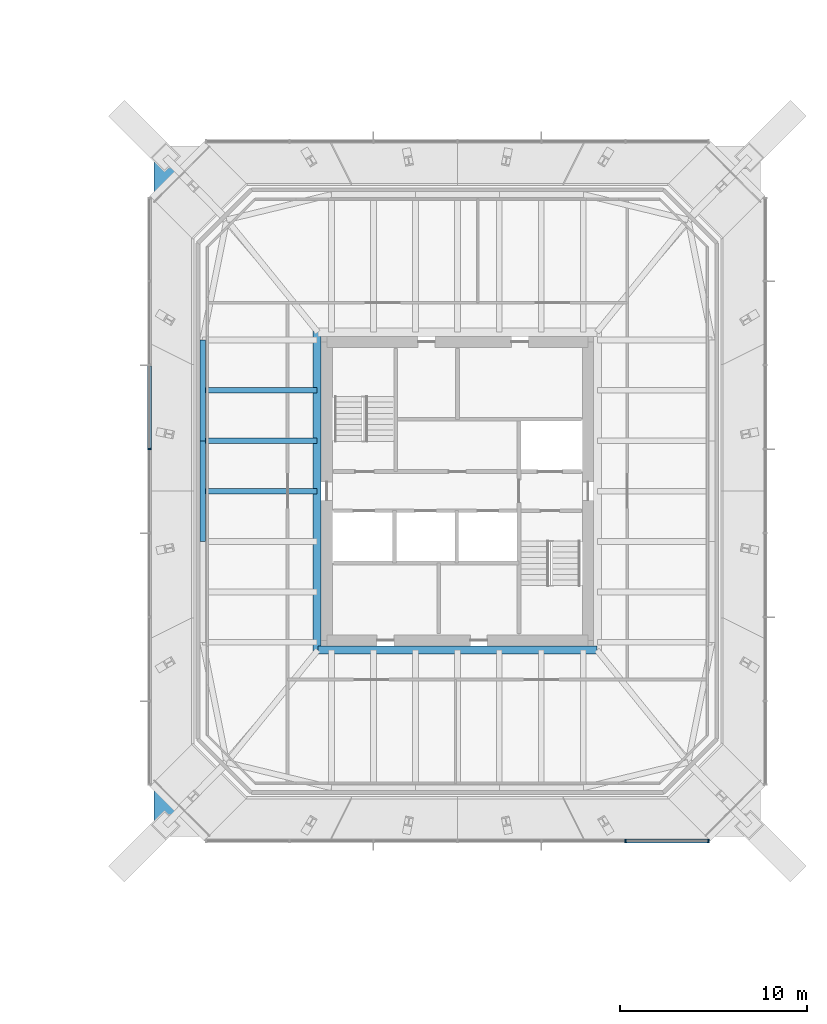
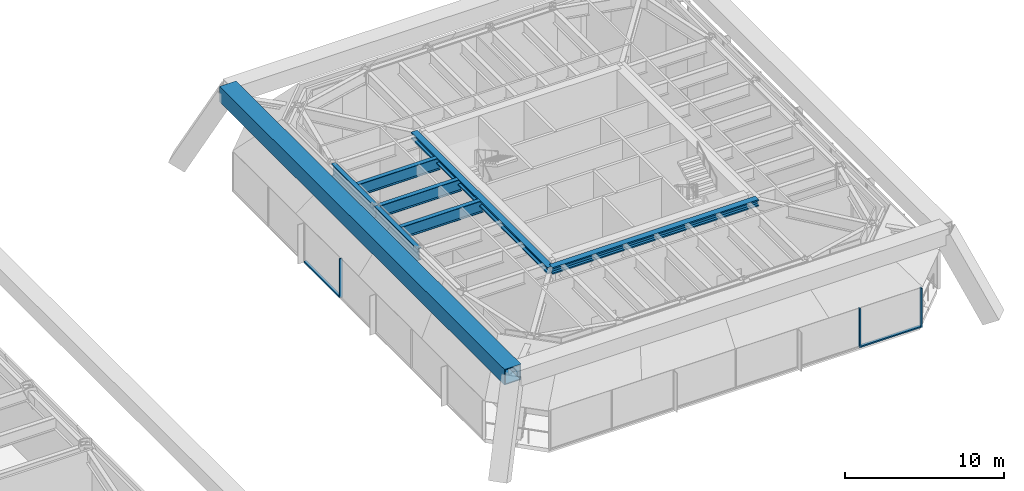
# One storey, part 5 of 16: 7 beams, 6 members, 2 elements without a shape of their own.
"""IFC4 building model written with IfcOpenShell, lengths in metres."""

from ifc_helpers import new_model, si_unit, direction, frame, origin, origin_2d, place, context, subcontext, project, spatial, rectangle, hollow_rectangle, i_section, extrude, material, material_profile, profile_set, type_object, element, aggregate, save


model = new_model("IFC4")

# Units and contexts
model_context = context("Model", 3, precision=1e-05, world=origin(), true_north=direction((0.0, 1.0)))
body_context = subcontext(model_context, "Body", "Model", "MODEL_VIEW")
ifc_project = project(units=[si_unit("LENGTHUNIT", "METRE"), si_unit("AREAUNIT", "SQUARE_METRE"), si_unit("VOLUMEUNIT", "CUBIC_METRE"), si_unit("PLANEANGLEUNIT", "RADIAN"), si_unit("MASSUNIT", "GRAM", prefix="KILO")], contexts=[model_context])

# Site, building, storey
site_placement = place(None, origin())
site = spatial("IfcSite", under=ifc_project, at=site_placement, CompositionType="ELEMENT")
building_placement = place(site_placement, origin())
building = spatial("IfcBuilding", under=site, at=building_placement, Name="Iwan Alto Co-Living Towers", CompositionType="ELEMENT")
storey_placement = place(building_placement, frame((0.0, 0.0, 74.5)))
storey = spatial("IfcBuildingStorey", under=building, at=storey_placement, Name="L20", CompositionType="ELEMENT", Elevation=74.5)

# Curtain wall, members
ifc_material_1 = material(Name="Bronze aluminium unitised frame", Category="aluminium")
curtain_wall_type = type_object("IfcCurtainWallType", Name="CURTAIN WALL CW-C", PredefinedType="NOTDEFINED", material=ifc_material_1)
curtain_wall_1_placement = place(storey_placement, origin())
curtain_wall_1 = element("IfcCurtainWall", 1, at=curtain_wall_1_placement, inside=storey, type_object=curtain_wall_type, Name="T2 curtain wall S L20", PredefinedType="NOTDEFINED")
ifc_material_2 = material(Name="Aluminium 6063-T6 bronze anodised", Category="aluminium")
ifc_material_profile_1 = material_profile(ifc_material_2, rectangle(XDim=0.199951171875, YDim=0.080078125, at=origin_2d()), Name="AL 80X200")
ifc_profile_set_1 = profile_set([ifc_material_profile_1], Name="Aluminium 6063-T6 bronze anodised")
member_type_1 = type_object("IfcMemberType", Name="CW-C MULLION 80X200", PredefinedType="MULLION", material=ifc_profile_set_1)
member_1_placement = place(storey_placement, frame((72.0, -18.75, 0.0), z_axis=(0.0, 0.0, 1.0), x_axis=(0.0, 1.0, 0.0)))
member_1 = element("IfcMember", 2, at=member_1_placement, type_object=member_type_1, Name="CW-C mullion 6", PredefinedType="MULLION", context=body_context, shape_type="SweptSolid", body=[
    extrude(rectangle(XDim=0.199951171875, YDim=0.080078125, at=origin_2d()), origin(), (0.0, 0.0, 1.0), 3.0),
])
member_2_placement = place(storey_placement, frame((76.4599609375, -18.75, 0.0), z_axis=(0.0, 0.0, 1.0), x_axis=(0.0, 1.0, 0.0)))
member_2 = element("IfcMember", 3, at=member_2_placement, type_object=member_type_1, Name="CW-C mullion 7", PredefinedType="MULLION", context=body_context, shape_type="SweptSolid", body=[
    extrude(rectangle(XDim=0.199951171875, YDim=0.080078125, at=origin_2d()), origin(), (0.0, 0.0, 1.0), 3.0),
])

# Curtain wall, member
curtain_wall_2_placement = place(storey_placement, origin())
curtain_wall_2 = element("IfcCurtainWall", 4, at=curtain_wall_2_placement, inside=storey, type_object=curtain_wall_type, Name="T2 curtain wall W L20", PredefinedType="NOTDEFINED")
member_3_placement = place(storey_placement, frame((46.5, 2.25, 0.0), z_axis=(0.0, 0.0, 1.0), x_axis=(1.0, 0.0, 0.0)))
member_3 = element("IfcMember", 5, at=member_3_placement, type_object=member_type_1, Name="CW-C mullion 4", PredefinedType="MULLION", context=body_context, shape_type="SweptSolid", body=[
    extrude(rectangle(XDim=0.199951171875, YDim=0.080078125, at=origin_2d()), origin(), (0.0, 0.0, 1.0), 3.0),
])

# Member
ifc_material_3 = material(Name="Aluminium 6063-T6 bronze anodised", Category="aluminium")
ifc_material_profile_2 = material_profile(ifc_material_3, rectangle(XDim=0.199951171875, YDim=0.10009765625, at=origin_2d()), Name="AL 200X100")
ifc_profile_set_2 = profile_set([ifc_material_profile_2], Name="Aluminium 6063-T6 bronze anodised")
member_type_2 = type_object("IfcMemberType", Name="CW-C TRANSOM 200X100", PredefinedType="USERDEFINED", material=ifc_profile_set_2)
member_4_placement = place(storey_placement, frame((72.0400390625, -18.75, 0.050048828125), z_axis=(1.0, 0.0, 0.0), x_axis=(0.0, 1.0, 0.0)))
member_4 = element("IfcMember", 6, at=member_4_placement, type_object=member_type_2, Name="CW-C transom 6.1", ObjectType="TRANSOM", PredefinedType="USERDEFINED", context=body_context, shape_type="SweptSolid", body=[
    extrude(rectangle(XDim=0.199951171875, YDim=0.10009765625, at=origin_2d()), origin(), (0.0, 0.0, 1.0), 4.3798828125),
])

aggregate(curtain_wall_1, [member_1, member_2, member_4])

member_5_placement = place(storey_placement, frame((46.5, 6.7099609375, 0.050048828125), z_axis=(0.0, -1.0, 0.0), x_axis=(1.0, 0.0, 0.0)))
member_5 = element("IfcMember", 7, at=member_5_placement, type_object=member_type_2, Name="CW-C transom 3.1", ObjectType="TRANSOM", PredefinedType="USERDEFINED", context=body_context, shape_type="SweptSolid", body=[
    extrude(rectangle(XDim=0.199951171875, YDim=0.10009765625, at=origin_2d()), origin(), (0.0, 0.0, 1.0), 4.419921875),
])

aggregate(curtain_wall_2, [member_3, member_5])

# Beams
ifc_material_4 = material(Name="Steel ASTM A992 Gr 50", Category="steel")
ifc_material_profile_3 = material_profile(ifc_material_4, i_section(OverallWidth=0.436767578125, OverallDepth=0.51318359375, WebThickness=0.060546875, FlangeThickness=0.096923828125, at=origin_2d()), Name="W14X550")
ifc_profile_set_3 = profile_set([ifc_material_profile_3], Name="Steel ASTM A992 Gr 50")
beam_type_1 = type_object("IfcBeamType", Name="T2 CORE LEDGER BEAM W14X550", PredefinedType="BEAM", material=ifc_profile_set_3)
beam_1_placement = place(storey_placement, frame((55.52294921875, -8.5185546875, 5.513427734375), z_axis=(1.0, 0.0, 0.0), x_axis=(0.0, 1.0, 0.0)))
element("IfcBeam", 8, at=beam_1_placement, inside=storey, type_object=beam_type_1, Name="T2 core ledger beam S L21", PredefinedType="BEAM", context=body_context, shape_type="SweptSolid", body=[
    extrude(i_section(OverallWidth=0.436767578125, OverallDepth=0.51318359375, WebThickness=0.060546875, FlangeThickness=0.096923828125, at=origin_2d()), origin(), (0.0, 0.0, 1.0), 14.9541015625),
])
beam_2_placement = place(storey_placement, frame((55.4814453125, 8.5693359375, 5.513427734375), z_axis=(0.0, -1.0, 0.0), x_axis=(1.0, 0.0, 0.0)))
element("IfcBeam", 9, at=beam_2_placement, inside=storey, type_object=beam_type_1, Name="T2 core ledger beam W L21", PredefinedType="BEAM", context=body_context, shape_type="SweptSolid", body=[
    extrude(i_section(OverallWidth=0.436767578125, OverallDepth=0.51318359375, WebThickness=0.060546875, FlangeThickness=0.096923828125, at=origin_2d()), origin(), (0.0, 0.0, 1.0), 17.138671875),
])
ifc_material_5 = material(Name="Steel ASTM A992 Gr 50", Category="steel")
ifc_material_profile_4 = material_profile(ifc_material_5, i_section(OverallWidth=0.307373046875, OverallDepth=0.927001953125, WebThickness=0.01953125, FlangeThickness=0.031982421875, at=origin_2d()), Name="W36X194")
ifc_profile_set_4 = profile_set([ifc_material_profile_4], Name="Steel ASTM A992 Gr 50")
beam_type_2 = type_object("IfcBeamType", Name="T2 EDGE BEAM W36X194", PredefinedType="BEAM", material=ifc_profile_set_4)
beam_3_placement = place(storey_placement, frame((49.35009765625, 8.10009765625, 5.306396484375), z_axis=(0.0, -1.0, 0.0), x_axis=(1.0, 0.0, 0.0)))
element("IfcBeam", 10, at=beam_3_placement, inside=storey, type_object=beam_type_2, Name="T2 edge beam W1 L21", PredefinedType="BEAM", context=body_context, shape_type="SweptSolid", body=[
    extrude(i_section(OverallWidth=0.307373046875, OverallDepth=0.927001953125, WebThickness=0.01953125, FlangeThickness=0.031982421875, at=origin_2d()), origin(), (0.0, 0.0, 1.0), 5.400146484375),
])
beam_4_placement = place(storey_placement, frame((49.35009765625, 2.699951171875, 5.306396484375), z_axis=(0.0, -1.0, 0.0), x_axis=(1.0, 0.0, 0.0)))
element("IfcBeam", 11, at=beam_4_placement, inside=storey, type_object=beam_type_2, Name="T2 edge beam W2 L21", PredefinedType="BEAM", context=body_context, shape_type="SweptSolid", body=[
    extrude(i_section(OverallWidth=0.307373046875, OverallDepth=0.927001953125, WebThickness=0.01953125, FlangeThickness=0.031982421875, at=origin_2d()), origin(), (0.0, 0.0, 1.0), 5.39990234375),
])

# Member
ifc_material_6 = material(Name="Steel ASTM A572 Gr 50", Category="steel")
ifc_material_profile_5 = material_profile(ifc_material_6, hollow_rectangle(XDim=1.199951171875, YDim=1.199951171875, WallThickness=0.070068359375, at=origin_2d()), Name="BOX 1200X1200X70")
ifc_profile_set_5 = profile_set([ifc_material_profile_5], Name="Steel ASTM A572 Gr 50")
member_type_3 = type_object("IfcMemberType", Name="T2 MEGA BELT TIE BOX 1200X1200X70", PredefinedType="STRUT", material=ifc_profile_set_5)
member_6_placement = place(storey_placement, frame((47.35009765625, 17.89990234375, 6.0), z_axis=(0.0, -1.0, 0.0), x_axis=(1.0, 0.0, 0.0)))
element("IfcMember", 12, at=member_6_placement, inside=storey, type_object=member_type_3, Name="T2 mega belt tie W L21", PredefinedType="STRUT", context=body_context, shape_type="SweptSolid", body=[
    extrude(hollow_rectangle(XDim=1.199951171875, YDim=1.199951171875, WallThickness=0.070068359375, at=origin_2d()), origin(), (0.0, 0.0, 1.0), 35.7998046875),
])

# Beams
ifc_material_7 = material(Name="Steel ASTM A992 Gr 50", Category="steel")
ifc_material_profile_6 = material_profile(ifc_material_7, i_section(OverallWidth=0.307373046875, OverallDepth=0.927001953125, WebThickness=0.01953125, FlangeThickness=0.031982421875, at=origin_2d()), Name="W36X194")
ifc_profile_set_6 = profile_set([ifc_material_profile_6], Name="Steel ASTM A992 Gr 50")
beam_type_3 = type_object("IfcBeamType", Name="T2 RADIAL BEAM W36X194", PredefinedType="BEAM", material=ifc_profile_set_6)
beam_5_placement = place(storey_placement, frame((49.35009765625, 2.699951171875, 5.306396484375), z_axis=(1.0, 0.0, 0.0), x_axis=(0.0, 1.0, 0.0)))
element("IfcBeam", 13, at=beam_5_placement, inside=storey, type_object=beam_type_3, Name="T2 radial beam W2 L21", PredefinedType="BEAM", context=body_context, shape_type="SweptSolid", body=[
    extrude(i_section(OverallWidth=0.307373046875, OverallDepth=0.927001953125, WebThickness=0.01953125, FlangeThickness=0.031982421875, at=origin_2d()), origin(), (0.0, 0.0, 1.0), 6.13134765625),
])
ifc_material_8 = material(Name="Steel ASTM A992 Gr 50", Category="steel")
ifc_material_profile_7 = material_profile(ifc_material_8, i_section(OverallWidth=0.307373046875, OverallDepth=0.927001953125, WebThickness=0.01953125, FlangeThickness=0.031982421875, at=origin_2d()), Name="W36X194")
ifc_profile_set_7 = profile_set([ifc_material_profile_7], Name="Steel ASTM A992 Gr 50")
beam_type_4 = type_object("IfcBeamType", Name="T2 SECONDARY BEAM W36X194", PredefinedType="JOIST", material=ifc_profile_set_7)
for number, where, z_axis, x_axis, name in (
    (14, (49.35009765625, 5.39990234375, 5.306396484375), (1.0, 0.0, 0.0), (0.0, 1.0, 0.0), "T2 secondary beam W1 L21"),
    (15, (49.35009765625, 0.0, 5.306396484375), (1.0, 0.0, 0.0), (0.0, 1.0, 0.0), "T2 secondary beam W2 L21"),
):
    element("IfcBeam", number, at=place(storey_placement, frame(where, z_axis=z_axis, x_axis=x_axis)), inside=storey, type_object=beam_type_4, Name=name, PredefinedType="JOIST", context=body_context, shape_type="SweptSolid", body=[
        extrude(i_section(OverallWidth=0.307373046875, OverallDepth=0.927001953125, WebThickness=0.01953125, FlangeThickness=0.031982421875, at=origin_2d()), origin(), (0.0, 0.0, 1.0), 6.13134765625),
    ])

save(model, "model.ifc")
